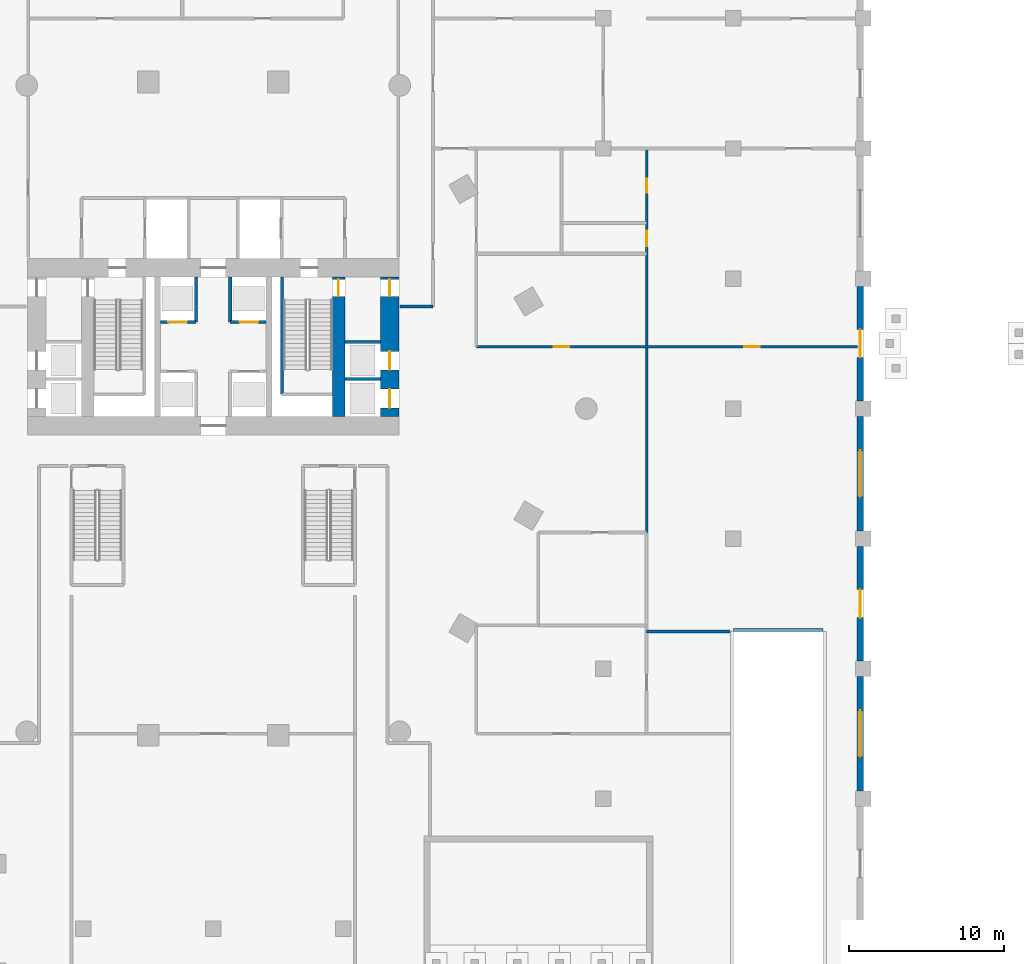
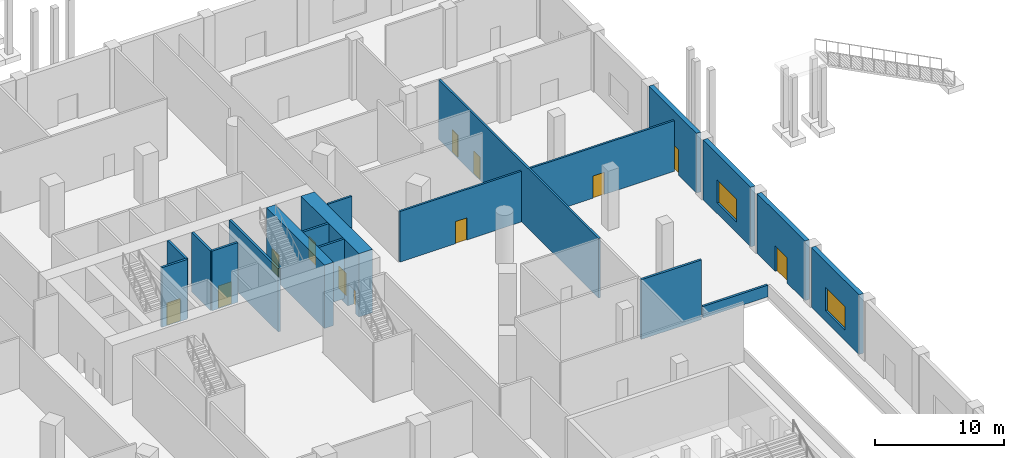
# One storey, part 15 of 25: 18 walls, 12 doors, 2 windows, 14 openings.
"""IFC4 building model written with IfcOpenShell, lengths in metres."""

from ifc_helpers import new_model, si_unit, direction, frame, frame_2d, origin, place, context, subcontext, project, spatial, rectangle, extrude, material, layer, layer_set, type_object, element, fill, save


model = new_model("IFC4")

# Units and contexts
model_context = context("Model", 3, precision=1e-05, world=origin(), true_north=direction((0.0, 1.0)))
body_context = subcontext(model_context, "Body", "Model", "MODEL_VIEW")
ifc_project = project(units=[si_unit("LENGTHUNIT", "METRE"), si_unit("AREAUNIT", "SQUARE_METRE"), si_unit("VOLUMEUNIT", "CUBIC_METRE"), si_unit("PLANEANGLEUNIT", "RADIAN"), si_unit("MASSUNIT", "GRAM", prefix="KILO")], contexts=[model_context])

# Site, building, storey
site_placement = place(None, origin())
site = spatial("IfcSite", under=ifc_project, at=site_placement, CompositionType="ELEMENT")
building_placement = place(site_placement, origin())
building = spatial("IfcBuilding", under=site, at=building_placement, Name="Ostrander Bayou Hotel Tower", CompositionType="ELEMENT")
storey_placement = place(building_placement, origin())
storey = spatial("IfcBuildingStorey", under=building, at=storey_placement, Name="L00", CompositionType="ELEMENT", Elevation=0.0)

# Wall, openings, doors
ifc_material_1 = material(Name="Concrete f'c 70 MPa", Category="concrete")
ifc_layer_1 = layer(ifc_material_1, 1.199951171875)
ifc_layer_set_1 = layer_set([ifc_layer_1], Name="CW1 core wall 1200 mm f'c 70 MPa")
wall_type_1 = type_object("IfcWallType", Name="CW1 core wall 1200 mm f'c 70 MPa", PredefinedType="SHEAR", material=ifc_layer_set_1)
wall_1_placement = place(storey_placement, frame((11.39990234375, -0.5, -0.35009765625), z_axis=(0.0, 0.0, 1.0), x_axis=(0.0, 1.0, 0.0)))
wall_1 = element("IfcWall", 1, at=wall_1_placement, inside=storey, type_object=wall_type_1, Name="CW1 L00 RE", PredefinedType="SHEAR", context=body_context, shape_type="SweptSolid", body=[
    extrude(rectangle(XDim=9.0, YDim=1.199951171875, at=frame_2d((4.5, 0.0))), origin(), (0.0, 0.0, 1.0), 6.0),
])
opening_1_placement = place(wall_1_placement, frame((7.75, 0.0, 0.0)))
opening_1 = element("IfcOpeningElement", 2, at=opening_1_placement, cuts=wall_1, Name="Opening T00-020", PredefinedType="OPENING", context=body_context, shape_type="SweptSolid", body=[
    extrude(rectangle(XDim=1.10009765625, YDim=2.10009765625, at=frame_2d((0.550048828125, 1.050048828125))), frame((0.0, 0.60009765625, 0.0), z_axis=(0.0, -1.0, 0.0), x_axis=(1.0, 0.0, 0.0)), (0.0, 0.0, 1.0), 1.199951171875),
])
opening_2_placement = place(wall_1_placement, frame((0.550048828125, 0.0, 0.0)))
opening_2 = element("IfcOpeningElement", 3, at=opening_2_placement, cuts=wall_1, Name="Opening T00-021", PredefinedType="OPENING", context=body_context, shape_type="SweptSolid", body=[
    extrude(rectangle(XDim=1.199951171875, YDim=2.10009765625, at=frame_2d((0.60009765625, 1.050048828125))), frame((0.0, 0.60009765625, 0.0), z_axis=(0.0, -1.0, 0.0), x_axis=(1.0, 0.0, 0.0)), (0.0, 0.0, 1.0), 1.199951171875),
])
opening_3_placement = place(wall_1_placement, frame((3.0, 0.0, 0.0)))
opening_3 = element("IfcOpeningElement", 4, at=opening_3_placement, cuts=wall_1, Name="Opening T00-022", PredefinedType="OPENING", context=body_context, shape_type="SweptSolid", body=[
    extrude(rectangle(XDim=1.199951171875, YDim=2.10009765625, at=frame_2d((0.60009765625, 1.050048828125))), frame((0.0, 0.60009765625, 0.0), z_axis=(0.0, -1.0, 0.0), x_axis=(1.0, 0.0, 0.0)), (0.0, 0.0, 1.0), 1.199951171875),
])
ifc_material_2 = material(Name="Timber door leaf", Category="wood")
door_type_1 = type_object("IfcDoorType", Name="D5 stair door 1100 x 2100 mm, 90 minute", OperationType="SINGLE_SWING_LEFT", PredefinedType="DOOR", material=ifc_material_2)
door_1_placement = place(opening_1_placement, origin())
door_1 = element("IfcDoor", 5, at=door_1_placement, inside=storey, type_object=door_type_1, Name="dr:L00:020", OperationType="SINGLE_SWING_RIGHT", OverallHeight=2.10009765625, OverallWidth=1.10009765625, PredefinedType="DOOR", context=body_context, shape_type="SweptSolid", body=[
    extrude(rectangle(XDim=1.10009765625, YDim=2.10009765625, at=frame_2d((0.550048828125, 1.050048828125))), frame((0.0, 0.02490234375, 0.0), z_axis=(0.0, -1.0, 0.0), x_axis=(1.0, 0.0, 0.0)), (0.0, 0.0, 1.0), 0.050048828125),
])
fill(opening_1, door_1)
ifc_material_3 = material(Name="Stainless steel sliding door", Category="steel")
door_type_2 = type_object("IfcDoorType", Name="LD1 lift landing door 1200 x 2100 mm", OperationType="SINGLE_SWING_LEFT", PredefinedType="DOOR", material=ifc_material_3)
door_2_placement = place(opening_2_placement, origin())
door_2 = element("IfcDoor", 6, at=door_2_placement, inside=storey, type_object=door_type_2, Name="dr:L00:021", OperationType="SLIDING_TO_LEFT", OverallHeight=2.10009765625, OverallWidth=1.199951171875, PredefinedType="DOOR", context=body_context, shape_type="SweptSolid", body=[
    extrude(rectangle(XDim=1.199951171875, YDim=2.10009765625, at=frame_2d((0.60009765625, 1.050048828125))), frame((0.0, 0.02490234375, 0.0), z_axis=(0.0, -1.0, 0.0), x_axis=(1.0, 0.0, 0.0)), (0.0, 0.0, 1.0), 0.050048828125),
])
fill(opening_2, door_2)
door_3_placement = place(opening_3_placement, origin())
door_3 = element("IfcDoor", 7, at=door_3_placement, inside=storey, type_object=door_type_2, Name="dr:L00:022", OperationType="SLIDING_TO_LEFT", OverallHeight=2.10009765625, OverallWidth=1.199951171875, PredefinedType="DOOR", context=body_context, shape_type="SweptSolid", body=[
    extrude(rectangle(XDim=1.199951171875, YDim=2.10009765625, at=frame_2d((0.60009765625, 1.050048828125))), frame((0.0, 0.02490234375, 0.0), z_axis=(0.0, -1.0, 0.0), x_axis=(1.0, 0.0, 0.0)), (0.0, 0.0, 1.0), 0.050048828125),
])
fill(opening_3, door_3)

# Wall, opening, door
ifc_material_4 = material(Name="Concrete f'c 70 MPa", Category="concrete")
ifc_layer_2 = layer(ifc_material_4, 0.800048828125)
ifc_layer_set_2 = layer_set([ifc_layer_2], Name="CW2 core spine wall 800 mm f'c 70 MPa")
wall_type_2 = type_object("IfcWallType", Name="CW2 core spine wall 800 mm f'c 70 MPa", PredefinedType="SHEAR", material=ifc_layer_set_2)
wall_2_placement = place(storey_placement, frame((8.10009765625, -0.5, -0.35009765625), z_axis=(0.0, 0.0, 1.0), x_axis=(0.0, 1.0, 0.0)))
wall_2 = element("IfcWall", 8, at=wall_2_placement, inside=storey, type_object=wall_type_2, Name="CW2 L00 E", PredefinedType="SHEAR", context=body_context, shape_type="SweptSolid", body=[
    extrude(rectangle(XDim=9.0, YDim=0.800048828125, at=frame_2d((4.5, 0.0))), origin(), (0.0, 0.0, 1.0), 6.0),
])
opening_4_placement = place(wall_2_placement, frame((7.75, 0.0, 0.0)))
opening_4 = element("IfcOpeningElement", 9, at=opening_4_placement, cuts=wall_2, Name="Opening T00-010", PredefinedType="OPENING", context=body_context, shape_type="SweptSolid", body=[
    extrude(rectangle(XDim=1.10009765625, YDim=2.10009765625, at=frame_2d((0.550048828125, 1.050048828125))), frame((0.0, 0.39990234375, 0.0), z_axis=(0.0, -1.0, 0.0), x_axis=(1.0, 0.0, 0.0)), (0.0, 0.0, 1.0), 0.800048828125),
])
door_4_placement = place(opening_4_placement, origin())
door_4 = element("IfcDoor", 10, at=door_4_placement, inside=storey, type_object=door_type_1, Name="dr:L00:010", OperationType="SINGLE_SWING_LEFT", OverallHeight=2.10009765625, OverallWidth=1.10009765625, PredefinedType="DOOR", context=body_context, shape_type="SweptSolid", body=[
    extrude(rectangle(XDim=1.10009765625, YDim=2.10009765625, at=frame_2d((0.550048828125, 1.050048828125))), frame((0.0, 0.02490234375, 0.0), z_axis=(0.0, -1.0, 0.0), x_axis=(1.0, 0.0, 0.0)), (0.0, 0.0, 1.0), 0.050048828125),
])
fill(opening_4, door_4)

# Wall
ifc_material_5 = material(Name="Gypsum board partition", Category="finish")
ifc_layer_3 = layer(ifc_material_5, 0.199951171875)
ifc_layer_set_3 = layer_set([ifc_layer_3], Name="PT3 demising wall 200 mm acoustic double stud, 1 hour")
wall_type_3 = type_object("IfcWallType", Name="PT3 demising wall 200 mm acoustic double stud, 1 hour", PredefinedType="PARTITIONING", material=ifc_layer_set_3)
wall_3_placement = place(storey_placement, frame((28.0, -14.39990234375, 0.0), z_axis=(0.0, 0.0, 1.0), x_axis=(1.0, 0.0, 0.0)))
element("IfcWall", 11, at=wall_3_placement, inside=storey, type_object=wall_type_3, Name="sw:L00:037", PredefinedType="PARTITIONING", context=body_context, shape_type="SweptSolid", body=[
    extrude(rectangle(XDim=5.39501953125, YDim=0.199951171875, at=frame_2d((2.697509765625, 0.0))), origin(), (0.0, 0.0, 1.0), 5.64990234375),
])

# Wall, openings, doors
ifc_material_6 = material(Name="Gypsum board partition", Category="finish")
ifc_layer_4 = layer(ifc_material_6, 0.175048828125)
ifc_layer_set_4 = layer_set([ifc_layer_4], Name="PT4 corridor wall 175 mm, 1 hour")
wall_type_4 = type_object("IfcWallType", Name="PT4 corridor wall 175 mm, 1 hour", PredefinedType="PARTITIONING", material=ifc_layer_set_4)
wall_4_placement = place(storey_placement, frame((17.0, 4.0, 0.0), z_axis=(0.0, 0.0, 1.0), x_axis=(1.0, 0.0, 0.0)))
wall_4 = element("IfcWall", 12, at=wall_4_placement, inside=storey, type_object=wall_type_4, Name="sw:L00:011", PredefinedType="PARTITIONING", context=body_context, shape_type="SweptSolid", body=[
    extrude(rectangle(XDim=24.6201171875, YDim=0.175048828125, at=frame_2d((12.31005859375, 0.0))), origin(), (0.0, 0.0, 1.0), 4.800048828125),
])
opening_5_placement = place(wall_4_placement, frame((5.0, 0.0, 0.0)))
opening_5 = element("IfcOpeningElement", 13, at=opening_5_placement, cuts=wall_4, Name="Opening T00-220", PredefinedType="OPENING", context=body_context, shape_type="SweptSolid", body=[
    extrude(rectangle(XDim=1.0, YDim=2.10009765625, at=frame_2d((0.5, 1.050048828125))), frame((0.0, 0.08740234375, 0.0), z_axis=(0.0, -1.0, 0.0), x_axis=(1.0, 0.0, 0.0)), (0.0, 0.0, 1.0), 0.175048828125),
])
opening_6_placement = place(wall_4_placement, frame((17.31005859375, 0.0, 0.0)))
opening_6 = element("IfcOpeningElement", 14, at=opening_6_placement, cuts=wall_4, Name="Opening T00-230", PredefinedType="OPENING", context=body_context, shape_type="SweptSolid", body=[
    extrude(rectangle(XDim=1.0, YDim=2.10009765625, at=frame_2d((0.5, 1.050048828125))), frame((0.0, 0.08740234375, 0.0), z_axis=(0.0, -1.0, 0.0), x_axis=(1.0, 0.0, 0.0)), (0.0, 0.0, 1.0), 0.175048828125),
])
ifc_material_7 = material(Name="Timber door leaf", Category="wood")
door_type_3 = type_object("IfcDoorType", Name="D9 service door 1000 x 2100 mm, 30 minute", OperationType="SINGLE_SWING_LEFT", PredefinedType="DOOR", material=ifc_material_7)
door_5_placement = place(opening_5_placement, origin())
door_5 = element("IfcDoor", 15, at=door_5_placement, inside=storey, type_object=door_type_3, Name="dr:L00:220", OperationType="SINGLE_SWING_RIGHT", OverallHeight=2.10009765625, OverallWidth=1.0, PredefinedType="DOOR", context=body_context, shape_type="SweptSolid", body=[
    extrude(rectangle(XDim=1.0, YDim=2.10009765625, at=frame_2d((0.5, 1.050048828125))), frame((0.0, 0.02490234375, 0.0), z_axis=(0.0, -1.0, 0.0), x_axis=(1.0, 0.0, 0.0)), (0.0, 0.0, 1.0), 0.050048828125),
])
fill(opening_5, door_5)
door_6_placement = place(opening_6_placement, origin())
door_6 = element("IfcDoor", 16, at=door_6_placement, inside=storey, type_object=door_type_3, Name="dr:L00:230", OperationType="SINGLE_SWING_RIGHT", OverallHeight=2.10009765625, OverallWidth=1.0, PredefinedType="DOOR", context=body_context, shape_type="SweptSolid", body=[
    extrude(rectangle(XDim=1.0, YDim=2.10009765625, at=frame_2d((0.5, 1.050048828125))), frame((0.0, 0.02490234375, 0.0), z_axis=(0.0, -1.0, 0.0), x_axis=(1.0, 0.0, 0.0)), (0.0, 0.0, 1.0), 0.050048828125),
])
fill(opening_6, door_6)

# Wall
wall_5_placement = place(storey_placement, frame((12.080078125, 6.60009765625, 0.0), z_axis=(0.0, 0.0, 1.0), x_axis=(1.0, 0.0, 0.0)))
element("IfcWall", 17, at=wall_5_placement, inside=storey, type_object=wall_type_4, Name="sw:L00:013", PredefinedType="PARTITIONING", context=body_context, shape_type="SweptSolid", body=[
    extrude(rectangle(XDim=2.119873046875, YDim=0.175048828125, at=frame_2d((1.06005859375, 0.0))), origin(), (0.0, 0.0, 1.0), 5.64990234375),
])

# Wall, openings, doors
wall_6_placement = place(storey_placement, frame((28.0, -8.0, 0.0), z_axis=(0.0, 0.0, 1.0), x_axis=(0.0, 1.0, 0.0)))
wall_6 = element("IfcWall", 18, at=wall_6_placement, inside=storey, type_object=wall_type_4, Name="sw:L00:036", PredefinedType="PARTITIONING", context=body_context, shape_type="SweptSolid", body=[
    extrude(rectangle(XDim=24.800048828125, YDim=0.175048828125, at=frame_2d((12.39990234375, 0.0))), origin(), (0.0, 0.0, 1.0), 5.64990234375),
])
opening_7_placement = place(wall_6_placement, frame((21.949951171875, 0.0, 0.0)))
opening_7 = element("IfcOpeningElement", 19, at=opening_7_placement, cuts=wall_6, Name="Opening T00-218", PredefinedType="OPENING", context=body_context, shape_type="SweptSolid", body=[
    extrude(rectangle(XDim=0.89990234375, YDim=2.10009765625, at=frame_2d((0.449951171875, 1.050048828125))), frame((0.0, 0.08740234375, 0.0), z_axis=(0.0, -1.0, 0.0), x_axis=(1.0, 0.0, 0.0)), (0.0, 0.0, 1.0), 0.175048828125),
])
opening_8_placement = place(wall_6_placement, frame((18.5, 0.0, 0.0)))
opening_8 = element("IfcOpeningElement", 20, at=opening_8_placement, cuts=wall_6, Name="Opening T00-219", PredefinedType="OPENING", context=body_context, shape_type="SweptSolid", body=[
    extrude(rectangle(XDim=1.0, YDim=2.10009765625, at=frame_2d((0.5, 1.050048828125))), frame((0.0, 0.08740234375, 0.0), z_axis=(0.0, -1.0, 0.0), x_axis=(1.0, 0.0, 0.0)), (0.0, 0.0, 1.0), 0.175048828125),
])
ifc_material_8 = material(Name="Timber door leaf", Category="wood")
door_type_4 = type_object("IfcDoorType", Name="D8 room door 900 x 2100 mm", OperationType="SINGLE_SWING_LEFT", PredefinedType="DOOR", material=ifc_material_8)
door_7_placement = place(opening_7_placement, origin())
door_7 = element("IfcDoor", 21, at=door_7_placement, inside=storey, type_object=door_type_4, Name="dr:L00:218", OperationType="SINGLE_SWING_RIGHT", OverallHeight=2.10009765625, OverallWidth=0.89990234375, PredefinedType="DOOR", context=body_context, shape_type="SweptSolid", body=[
    extrude(rectangle(XDim=0.89990234375, YDim=2.10009765625, at=frame_2d((0.449951171875, 1.050048828125))), frame((0.0, 0.02490234375, 0.0), z_axis=(0.0, -1.0, 0.0), x_axis=(1.0, 0.0, 0.0)), (0.0, 0.0, 1.0), 0.050048828125),
])
fill(opening_7, door_7)
door_8_placement = place(opening_8_placement, origin())
door_8 = element("IfcDoor", 22, at=door_8_placement, inside=storey, type_object=door_type_3, Name="dr:L00:219", OperationType="SINGLE_SWING_LEFT", OverallHeight=2.10009765625, OverallWidth=1.0, PredefinedType="DOOR", context=body_context, shape_type="SweptSolid", body=[
    extrude(rectangle(XDim=1.0, YDim=2.10009765625, at=frame_2d((0.5, 1.050048828125))), frame((0.0, 0.02490234375, 0.0), z_axis=(0.0, -1.0, 0.0), x_axis=(1.0, 0.0, 0.0)), (0.0, 0.0, 1.0), 0.050048828125),
])
fill(opening_8, door_8)

# Wall, opening, door
ifc_material_9 = material(Name="Masonry block", Category="masonry")
ifc_layer_5 = layer(ifc_material_9, 0.199951171875)
ifc_layer_set_5 = layer_set([ifc_layer_5], Name="PT6 lift shaft wall 200 mm masonry, 2 hour")
wall_type_5 = type_object("IfcWallType", Name="PT6 lift shaft wall 200 mm masonry, 2 hour", PredefinedType="PARTITIONING", material=ifc_layer_set_5)
wall_7_placement = place(storey_placement, frame((-3.39990234375, 5.60009765625, 0.0), z_axis=(0.0, 0.0, 1.0), x_axis=(1.0, 0.0, 0.0)))
wall_7 = element("IfcWall", 23, at=wall_7_placement, inside=storey, type_object=wall_type_5, Name="cs:L00:002", PredefinedType="PARTITIONING", context=body_context, shape_type="SweptSolid", body=[
    extrude(rectangle(XDim=2.2998046875, YDim=0.199951171875, at=frame_2d((1.14990234375, 0.0))), origin(), (0.0, 0.0, 1.0), 5.64990234375),
])
opening_9_placement = place(wall_7_placement, frame((0.5, 0.0, 0.0)))
opening_9 = element("IfcOpeningElement", 24, at=opening_9_placement, cuts=wall_7, Name="Opening T00-003", PredefinedType="OPENING", context=body_context, shape_type="SweptSolid", body=[
    extrude(rectangle(XDim=1.199951171875, YDim=2.10009765625, at=frame_2d((0.60009765625, 1.050048828125))), frame((0.0, 0.10009765625, 0.0), z_axis=(0.0, -1.0, 0.0), x_axis=(1.0, 0.0, 0.0)), (0.0, 0.0, 1.0), 0.199951171875),
])
door_9_placement = place(opening_9_placement, origin())
door_9 = element("IfcDoor", 25, at=door_9_placement, inside=storey, type_object=door_type_2, Name="dr:L00:003", OperationType="SLIDING_TO_LEFT", OverallHeight=2.10009765625, OverallWidth=1.199951171875, PredefinedType="DOOR", context=body_context, shape_type="SweptSolid", body=[
    extrude(rectangle(XDim=1.199951171875, YDim=2.10009765625, at=frame_2d((0.60009765625, 1.050048828125))), frame((0.0, 0.02490234375, 0.0), z_axis=(0.0, -1.0, 0.0), x_axis=(1.0, 0.0, 0.0)), (0.0, 0.0, 1.0), 0.050048828125),
])
fill(opening_9, door_9)

wall_8_placement = place(storey_placement, frame((1.10009765625, 5.60009765625, 0.0), z_axis=(0.0, 0.0, 1.0), x_axis=(1.0, 0.0, 0.0)))
wall_8 = element("IfcWall", 26, at=wall_8_placement, inside=storey, type_object=wall_type_5, Name="cs:L00:004", PredefinedType="PARTITIONING", context=body_context, shape_type="SweptSolid", body=[
    extrude(rectangle(XDim=2.2998046875, YDim=0.199951171875, at=frame_2d((1.14990234375, 0.0))), origin(), (0.0, 0.0, 1.0), 5.64990234375),
])
opening_10_placement = place(wall_8_placement, frame((0.60009765625, 0.0, 0.0)))
opening_10 = element("IfcOpeningElement", 27, at=opening_10_placement, cuts=wall_8, Name="Opening T00-004", PredefinedType="OPENING", context=body_context, shape_type="SweptSolid", body=[
    extrude(rectangle(XDim=1.199951171875, YDim=2.10009765625, at=frame_2d((0.60009765625, 1.050048828125))), frame((0.0, 0.10009765625, 0.0), z_axis=(0.0, -1.0, 0.0), x_axis=(1.0, 0.0, 0.0)), (0.0, 0.0, 1.0), 0.199951171875),
])
door_10_placement = place(opening_10_placement, origin())
door_10 = element("IfcDoor", 28, at=door_10_placement, inside=storey, type_object=door_type_2, Name="dr:L00:004", OperationType="SLIDING_TO_LEFT", OverallHeight=2.10009765625, OverallWidth=1.199951171875, PredefinedType="DOOR", context=body_context, shape_type="SweptSolid", body=[
    extrude(rectangle(XDim=1.199951171875, YDim=2.10009765625, at=frame_2d((0.60009765625, 1.050048828125))), frame((0.0, 0.02490234375, 0.0), z_axis=(0.0, -1.0, 0.0), x_axis=(1.0, 0.0, 0.0)), (0.0, 0.0, 1.0), 0.050048828125),
])
fill(opening_10, door_10)

# Walls
for number, where, z_axis, x_axis, name in (
    (29, (-1.10009765625, 5.60009765625, 0.0), (0.0, 0.0, 1.0), (0.0, 1.0, 0.0), "cs:L00:007"),
    (30, (1.10009765625, 5.60009765625, 0.0), (0.0, 0.0, 1.0), (0.0, 1.0, 0.0), "cs:L00:008"),
):
    element("IfcWall", number, at=place(storey_placement, frame(where, z_axis=z_axis, x_axis=x_axis)), inside=storey, type_object=wall_type_5, Name=name, PredefinedType="PARTITIONING", context=body_context, shape_type="SweptSolid", body=[
        extrude(rectangle(XDim=2.89990234375, YDim=0.199951171875, at=frame_2d((1.449951171875, 0.0))), origin(), (0.0, 0.0, 1.0), 5.64990234375),
    ])
for number, where, z_axis, x_axis, name in (
    (31, (8.5, 1.89990234375, 0.0), (0.0, 0.0, 1.0), (1.0, 0.0, 0.0), "cs:L00:030"),
    (32, (8.5, 4.300048828125, 0.0), (0.0, 0.0, 1.0), (1.0, 0.0, 0.0), "cs:L00:031"),
):
    element("IfcWall", number, at=place(storey_placement, frame(where, z_axis=z_axis, x_axis=x_axis)), inside=storey, type_object=wall_type_5, Name=name, PredefinedType="PARTITIONING", context=body_context, shape_type="SweptSolid", body=[
        extrude(rectangle(XDim=2.300048828125, YDim=0.199951171875, at=frame_2d((1.14990234375, 0.0))), origin(), (0.0, 0.0, 1.0), 5.64990234375),
    ])

# Wall, opening, door
ifc_material_10 = material(Name="Reconstituted stone on masonry backing", Category="masonry")
ifc_layer_6 = layer(ifc_material_10, 0.39990234375)
ifc_layer_set_6 = layer_set([ifc_layer_6], Name="PW1 stone cladding wall 400 mm")
wall_type_6 = type_object("IfcWallType", Name="PW1 stone cladding wall 400 mm", PredefinedType="SOLIDWALL", material=ifc_layer_set_6)
wall_9_placement = place(storey_placement, frame((41.800048828125, 7.89990234375, 0.0), z_axis=(0.0, 0.0, 1.0), x_axis=(0.0, -1.0, 0.0)))
wall_9 = element("IfcWall", 33, at=wall_9_placement, inside=storey, type_object=wall_type_6, Name="pw:L00:12", PredefinedType="SOLIDWALL", context=body_context, shape_type="SweptSolid", body=[
    extrude(rectangle(XDim=7.39990234375, YDim=0.39990234375, at=frame_2d((3.699951171875, 0.0))), origin(), (0.0, 0.0, 1.0), 5.64990234375),
])
opening_11_placement = place(wall_9_placement, frame((2.800048828125, 0.0, 0.0)))
opening_11 = element("IfcOpeningElement", 34, at=opening_11_placement, cuts=wall_9, Name="Opening E7", PredefinedType="OPENING", context=body_context, shape_type="SweptSolid", body=[
    extrude(rectangle(XDim=1.800048828125, YDim=2.39990234375, at=frame_2d((0.89990234375, 1.199951171875))), frame((0.0, 0.199951171875, 0.0), z_axis=(0.0, -1.0, 0.0), x_axis=(1.0, 0.0, 0.0)), (0.0, 0.0, 1.0), 0.39990234375),
])
ifc_material_11 = material(Name="Aluminium and clear glass", Category="aluminium")
door_type_5 = type_object("IfcDoorType", Name="ED1 entrance door 1800 mm", OperationType="DOUBLE_DOOR_SINGLE_SWING", PredefinedType="DOOR", material=ifc_material_11)
door_11_placement = place(opening_11_placement, origin())
door_11 = element("IfcDoor", 35, at=door_11_placement, inside=storey, type_object=door_type_5, Name="ED1 E7", OperationType="SINGLE_SWING_LEFT", OverallHeight=2.39990234375, OverallWidth=1.800048828125, PredefinedType="DOOR", context=body_context, shape_type="SweptSolid", body=[
    extrude(rectangle(XDim=1.800048828125, YDim=2.39990234375, at=frame_2d((0.89990234375, 1.199951171875))), frame((0.0, 0.02490234375, 0.0), z_axis=(0.0, -1.0, 0.0), x_axis=(1.0, 0.0, 0.0)), (0.0, 0.0, 1.0), 0.050048828125),
])
fill(opening_11, door_11)

# Wall, opening, window
wall_10_placement = place(storey_placement, frame((41.800048828125, -0.5, 0.0), z_axis=(0.0, 0.0, 1.0), x_axis=(0.0, -1.0, 0.0)))
wall_10 = element("IfcWall", 36, at=wall_10_placement, inside=storey, type_object=wall_type_6, Name="pw:L00:13", PredefinedType="SOLIDWALL", context=body_context, shape_type="SweptSolid", body=[
    extrude(rectangle(XDim=7.39990234375, YDim=0.39990234375, at=frame_2d((3.699951171875, 0.0))), origin(), (0.0, 0.0, 1.0), 5.64990234375),
])
opening_12_placement = place(wall_10_placement, frame((2.199951171875, 0.0, 1.0)))
opening_12 = element("IfcOpeningElement", 37, at=opening_12_placement, cuts=wall_10, Name="Opening W6", PredefinedType="OPENING", context=body_context, shape_type="SweptSolid", body=[
    extrude(rectangle(XDim=3.0, YDim=2.199951171875, at=frame_2d((1.5, 1.10009765625))), frame((0.0, 0.199951171875, 0.0), z_axis=(0.0, -1.0, 0.0), x_axis=(1.0, 0.0, 0.0)), (0.0, 0.0, 1.0), 0.39990234375),
])
ifc_material_12 = material(Name="Aluminium and clear glass", Category="aluminium")
window_type = type_object("IfcWindowType", Name="W6 podium window 3000 mm", PartitioningType="SINGLE_PANEL", PredefinedType="WINDOW", material=ifc_material_12)
window_1_placement = place(opening_12_placement, origin())
window_1 = element("IfcWindow", 38, at=window_1_placement, inside=storey, type_object=window_type, Name="W6 L00 13", OverallHeight=2.199951171875, OverallWidth=3.0, PartitioningType="SINGLE_PANEL", PredefinedType="WINDOW", context=body_context, shape_type="SweptSolid", body=[
    extrude(rectangle(XDim=3.0, YDim=2.199951171875, at=frame_2d((1.5, 1.10009765625))), frame((0.0, 0.030029296875, 0.0), z_axis=(0.0, -1.0, 0.0), x_axis=(1.0, 0.0, 0.0)), (0.0, 0.0, 1.0), 0.06005859375),
])
fill(opening_12, window_1)

# Wall, opening, door
wall_11_placement = place(storey_placement, frame((41.800048828125, -8.89990234375, 0.0), z_axis=(0.0, 0.0, 1.0), x_axis=(0.0, -1.0, 0.0)))
wall_11 = element("IfcWall", 39, at=wall_11_placement, inside=storey, type_object=wall_type_6, Name="pw:L00:14", PredefinedType="SOLIDWALL", context=body_context, shape_type="SweptSolid", body=[
    extrude(rectangle(XDim=7.400146484375, YDim=0.39990234375, at=frame_2d((3.7001953125, 0.0))), origin(), (0.0, 0.0, 1.0), 5.64990234375),
])
opening_13_placement = place(wall_11_placement, frame((2.800048828125, 0.0, 0.0)))
opening_13 = element("IfcOpeningElement", 40, at=opening_13_placement, cuts=wall_11, Name="Opening E8", PredefinedType="OPENING", context=body_context, shape_type="SweptSolid", body=[
    extrude(rectangle(XDim=1.800048828125, YDim=2.39990234375, at=frame_2d((0.89990234375, 1.199951171875))), frame((0.0, 0.199951171875, 0.0), z_axis=(0.0, -1.0, 0.0), x_axis=(1.0, 0.0, 0.0)), (0.0, 0.0, 1.0), 0.39990234375),
])
door_12_placement = place(opening_13_placement, origin())
door_12 = element("IfcDoor", 41, at=door_12_placement, inside=storey, type_object=door_type_5, Name="ED1 E8", OperationType="SINGLE_SWING_LEFT", OverallHeight=2.39990234375, OverallWidth=1.800048828125, PredefinedType="DOOR", context=body_context, shape_type="SweptSolid", body=[
    extrude(rectangle(XDim=1.800048828125, YDim=2.39990234375, at=frame_2d((0.89990234375, 1.199951171875))), frame((0.0, 0.02490234375, 0.0), z_axis=(0.0, -1.0, 0.0), x_axis=(1.0, 0.0, 0.0)), (0.0, 0.0, 1.0), 0.050048828125),
])
fill(opening_13, door_12)

# Wall, opening, window
wall_12_placement = place(storey_placement, frame((41.800048828125, -17.300048828125, 0.0), z_axis=(0.0, 0.0, 1.0), x_axis=(0.0, -1.0, 0.0)))
wall_12 = element("IfcWall", 42, at=wall_12_placement, inside=storey, type_object=wall_type_6, Name="pw:L00:15", PredefinedType="SOLIDWALL", context=body_context, shape_type="SweptSolid", body=[
    extrude(rectangle(XDim=7.39990234375, YDim=0.39990234375, at=frame_2d((3.699951171875, 0.0))), origin(), (0.0, 0.0, 1.0), 5.64990234375),
])
opening_14_placement = place(wall_12_placement, frame((2.199951171875, 0.0, 1.0)))
opening_14 = element("IfcOpeningElement", 43, at=opening_14_placement, cuts=wall_12, Name="Opening W6", PredefinedType="OPENING", context=body_context, shape_type="SweptSolid", body=[
    extrude(rectangle(XDim=3.0, YDim=2.199951171875, at=frame_2d((1.5, 1.10009765625))), frame((0.0, 0.199951171875, 0.0), z_axis=(0.0, -1.0, 0.0), x_axis=(1.0, 0.0, 0.0)), (0.0, 0.0, 1.0), 0.39990234375),
])
window_2_placement = place(opening_14_placement, origin())
window_2 = element("IfcWindow", 44, at=window_2_placement, inside=storey, type_object=window_type, Name="W6 L00 15", OverallHeight=2.199951171875, OverallWidth=3.0, PartitioningType="SINGLE_PANEL", PredefinedType="WINDOW", context=body_context, shape_type="SweptSolid", body=[
    extrude(rectangle(XDim=3.0, YDim=2.199951171875, at=frame_2d((1.5, 1.10009765625))), frame((0.0, 0.030029296875, 0.0), z_axis=(0.0, -1.0, 0.0), x_axis=(1.0, 0.0, 0.0)), (0.0, 0.0, 1.0), 0.06005859375),
])
fill(opening_14, window_2)

# Walls
ifc_material_13 = material(Name="Concrete f'c 40 MPa", Category="concrete")
ifc_layer_7 = layer(ifc_material_13, 0.199951171875)
ifc_layer_set_7 = layer_set([ifc_layer_7], Name="RP1 ramp well parapet 200 mm")
wall_type_7 = type_object("IfcWallType", Name="RP1 ramp well parapet 200 mm", PredefinedType="PARAPET", material=ifc_layer_set_7)
wall_13_placement = place(storey_placement, frame((39.39990234375, -14.300048828125, 0.0), z_axis=(0.0, 0.0, 1.0), x_axis=(-1.0, 0.0, 0.0)))
element("IfcWall", 45, at=wall_13_placement, inside=storey, type_object=wall_type_7, Name="RP1 L00 ramp 2", PredefinedType="PARAPET", context=body_context, shape_type="SweptSolid", body=[
    extrude(rectangle(XDim=5.7998046875, YDim=0.199951171875, at=frame_2d((2.89990234375, 0.0))), origin(), (0.0, 0.0, 1.0), 1.10009765625),
])
ifc_material_14 = material(Name="Concrete f'c 45 MPa", Category="concrete")
ifc_layer_8 = layer(ifc_material_14, 0.199951171875)
ifc_layer_set_8 = layer_set([ifc_layer_8], Name="SW5 stair enclosure wall 200 mm f'c 45 MPa")
wall_type_8 = type_object("IfcWallType", Name="SW5 stair enclosure wall 200 mm f'c 45 MPa", PredefinedType="SOLIDWALL", material=ifc_layer_set_8)
wall_14_placement = place(storey_placement, frame((4.449951171875, 0.89990234375, -0.35009765625), z_axis=(0.0, 0.0, 1.0), x_axis=(0.0, 1.0, 0.0)))
element("IfcWall", 46, at=wall_14_placement, inside=storey, type_object=wall_type_8, Name="cs:L00:011", PredefinedType="SOLIDWALL", context=body_context, shape_type="SweptSolid", body=[
    extrude(rectangle(XDim=7.60009765625, YDim=0.199951171875, at=frame_2d((3.800048828125, 0.0))), origin(), (0.0, 0.0, 1.0), 6.0),
])

save(model, "model.ifc")
